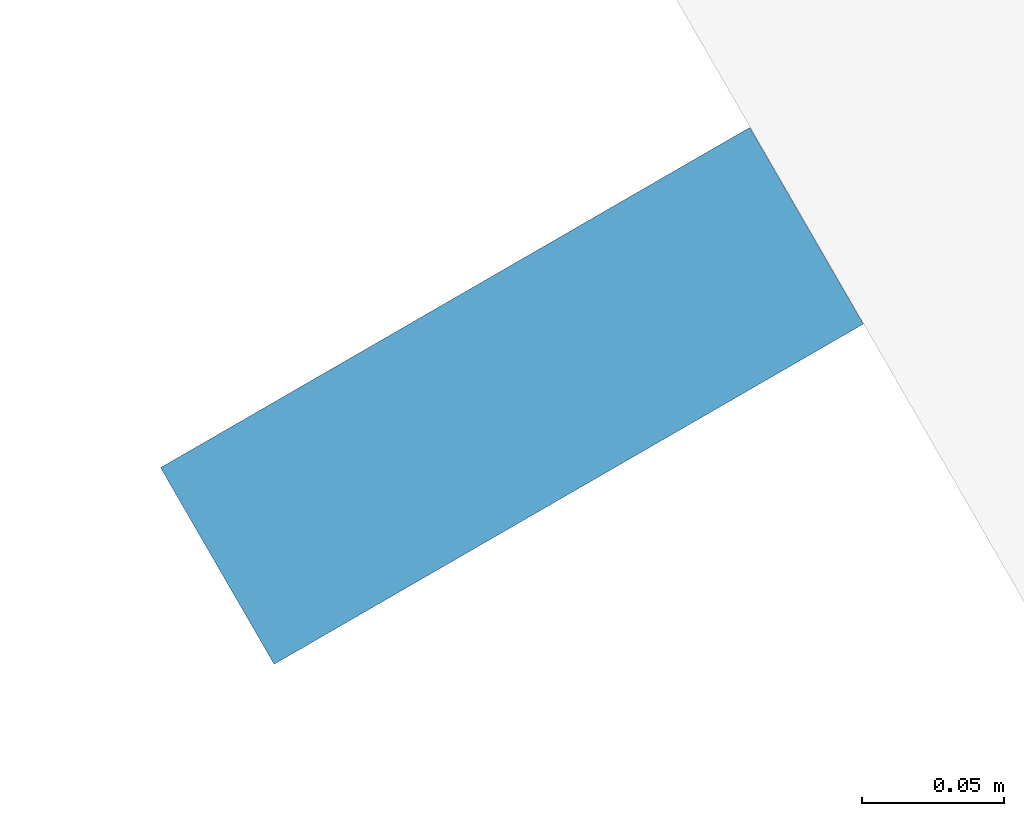
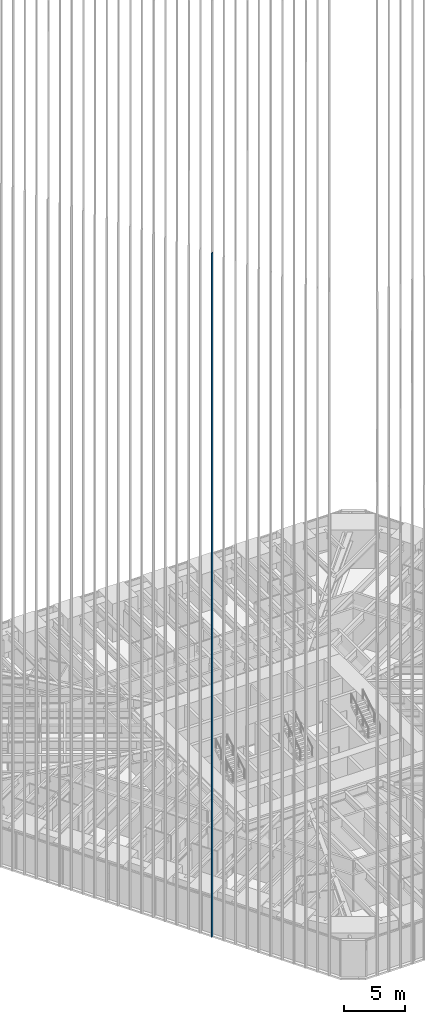
# One storey, part 7 of 256: 1 member, 1 element without a shape of its own.
"""IFC4 building model written with IfcOpenShell, lengths in metres."""

from ifc_helpers import new_model, si_unit, direction, frame, origin, origin_2d, place, context, subcontext, project, spatial, rectangle, extrude, material, material_profile, profile_set, type_object, element, aggregate, save


model = new_model("IFC4")

# Units and contexts
model_context = context("Model", 3, precision=1e-05, world=origin(), true_north=direction((0.0, 1.0)))
body_context = subcontext(model_context, "Body", "Model", "MODEL_VIEW")
ifc_project = project(units=[si_unit("LENGTHUNIT", "METRE"), si_unit("AREAUNIT", "SQUARE_METRE"), si_unit("VOLUMEUNIT", "CUBIC_METRE"), si_unit("PLANEANGLEUNIT", "RADIAN"), si_unit("MASSUNIT", "GRAM", prefix="KILO")], contexts=[model_context])

# Site, building, storey
site_placement = place(None, origin())
site = spatial("IfcSite", under=ifc_project, at=site_placement, CompositionType="ELEMENT")
building_placement = place(site_placement, origin())
building = spatial("IfcBuilding", under=site, at=building_placement, Name="Sandreach Pilgrim Tower", CompositionType="ELEMENT")
storey_placement = place(building_placement, frame((0.0, 0.0, 23.0)))
storey = spatial("IfcBuildingStorey", under=building, at=storey_placement, Name="L04", CompositionType="ELEMENT", Elevation=23.0)

# Curtain wall, member
ifc_material_1 = material(Name="Aluminium framed curtain wall", Category="aluminium")
curtain_wall_type = type_object("IfcCurtainWallType", Name="Hostel tower curtain wall", PredefinedType="NOTDEFINED", material=ifc_material_1)
curtain_wall_placement = place(storey_placement, origin())
curtain_wall = element("IfcCurtainWall", 1, at=curtain_wall_placement, inside=storey, type_object=curtain_wall_type, Name="CW-1 L04 SW", PredefinedType="NOTDEFINED")
ifc_material_2 = material(Name="Extruded terracotta on aluminium core", Category="masonry")
ifc_material_profile = material_profile(ifc_material_2, rectangle(XDim=0.080078125, YDim=0.239990234375, at=origin_2d()), Name="TBW 80X240")
ifc_profile_set = profile_set([ifc_material_profile], Name="Extruded terracotta on aluminium core")
member_type = type_object("IfcMemberType", Name="Terracotta baguette west", PredefinedType="USERDEFINED", material=ifc_profile_set)
member_placement = place(storey_placement, frame((-17.231689453125, -18.891357421875, 0.0), z_axis=(0.0, 0.0, 1.0), x_axis=(-0.5, 0.866025403784, 0.0)))
member = element("IfcMember", 2, at=member_placement, type_object=member_type, Name="Baguette Z1 SW11", ObjectType="BAGUETTE", PredefinedType="USERDEFINED", context=body_context, shape_type="SweptSolid", body=[
    extrude(rectangle(XDim=0.080078125, YDim=0.239990234375, at=origin_2d()), origin(), (0.0, 0.0, 1.0), 68.239990234375),
])
aggregate(curtain_wall, [member])

save(model, "model.ifc")
